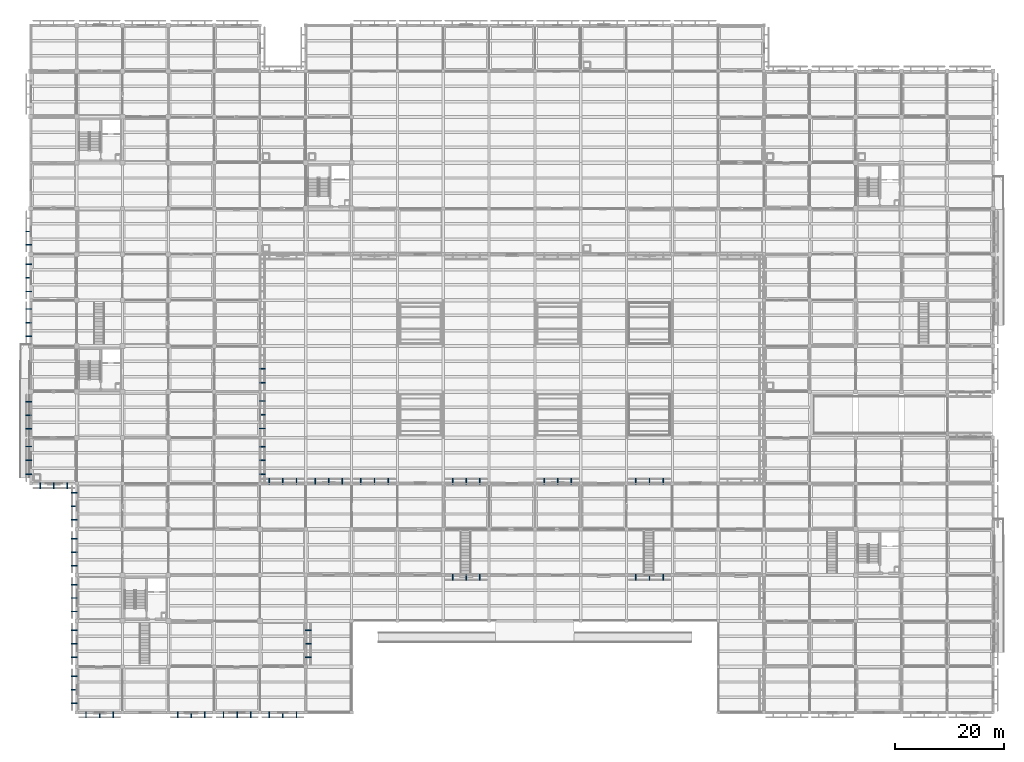
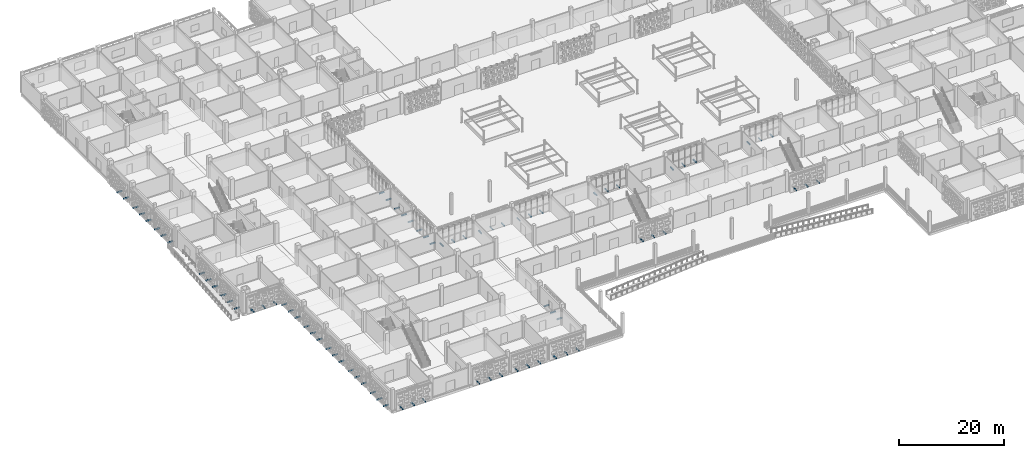
# One storey, part 77 of 129: 79 discrete accessories.
"""IFC4 building model written with IfcOpenShell, lengths in metres."""

from ifc_helpers import new_model, si_unit, direction, frame, origin, origin_2d, place, context, subcontext, project, spatial, rectangle, extrude, material, type_object, element, save


model = new_model("IFC4")

# Units and contexts
model_context = context("Model", 3, precision=1e-05, world=origin(), true_north=direction((0.0, 1.0)))
body_context = subcontext(model_context, "Body", "Model", "MODEL_VIEW")
ifc_project = project(units=[si_unit("LENGTHUNIT", "METRE"), si_unit("AREAUNIT", "SQUARE_METRE"), si_unit("VOLUMEUNIT", "CUBIC_METRE"), si_unit("PLANEANGLEUNIT", "RADIAN"), si_unit("MASSUNIT", "GRAM", prefix="KILO")], contexts=[model_context])

# Site, building, storey
site_placement = place(None, origin())
site = spatial("IfcSite", under=ifc_project, at=site_placement, CompositionType="ELEMENT")
building_placement = place(site_placement, origin())
building = spatial("IfcBuilding", under=site, at=building_placement, Name="Varnapada Polytechnic", CompositionType="ELEMENT")
storey_placement = place(building_placement, origin())
storey = spatial("IfcBuildingStorey", under=building, at=storey_placement, Name="L00", CompositionType="ELEMENT", Elevation=0.0)

# Discrete accessories
ifc_material = material(Name="Steel S355", Category="steel")
discrete_accessory_type = type_object("IfcDiscreteAccessoryType", Name="Screen Outrigger Bracket BRK-01", PredefinedType="BRACKET", material=ifc_material)
for number, where, z_axis, x_axis, name in (
    (1, (6.696044921875, 41.574951171875, -0.0498046875), (0.0, 0.0, 1.0), (-1.0, 0.0, 0.0), "L00 terracotta screen outrigger bracket 1.1"),
    (2, (4.199951171875, 41.574951171875, -0.0498046875), (0.0, 0.0, 1.0), (-1.0, 0.0, 0.0), "L00 terracotta screen outrigger bracket 1.2"),
    (3, (1.7041015625, 41.574951171875, -0.0498046875), (0.0, 0.0, 1.0), (-1.0, 0.0, 0.0), "L00 terracotta screen outrigger bracket 1.3"),
    (4, (-0.425048828125, 43.721923828125, -0.0498046875), (0.0, 0.0, 1.0), (0.0, 1.0, 0.0), "L00 terracotta screen outrigger bracket 2.1"),
    (5, (-0.425048828125, 46.25, -0.0498046875), (0.0, 0.0, 1.0), (0.0, 1.0, 0.0), "L00 terracotta screen outrigger bracket 2.2"),
    (6, (-0.425048828125, 48.778076171875, -0.0498046875), (0.0, 0.0, 1.0), (0.0, 1.0, 0.0), "L00 terracotta screen outrigger bracket 2.3"),
    (7, (-0.425048828125, 52.00390625, -0.0498046875), (0.0, 0.0, 1.0), (0.0, 1.0, 0.0), "L00 terracotta screen outrigger bracket 3.1"),
    (8, (-0.425048828125, 54.5, -0.0498046875), (0.0, 0.0, 1.0), (0.0, 1.0, 0.0), "L00 terracotta screen outrigger bracket 3.2"),
    (9, (-0.425048828125, 56.99609375, -0.0498046875), (0.0, 0.0, 1.0), (0.0, 1.0, 0.0), "L00 terracotta screen outrigger bracket 3.3"),
    (10, (-0.425048828125, 69.00390625, -0.0498046875), (0.0, 0.0, 1.0), (0.0, 1.0, 0.0), "L00 terracotta screen outrigger bracket 5.1"),
    (11, (-0.425048828125, 71.5, -0.0498046875), (0.0, 0.0, 1.0), (0.0, 1.0, 0.0), "L00 terracotta screen outrigger bracket 5.2"),
    (12, (-0.425048828125, 73.99609375, -0.0498046875), (0.0, 0.0, 1.0), (0.0, 1.0, 0.0), "L00 terracotta screen outrigger bracket 5.3"),
    (13, (-0.425048828125, 77.2041015625, -0.0498046875), (0.0, 0.0, 1.0), (0.0, 1.0, 0.0), "L00 terracotta screen outrigger bracket 6.1"),
    (14, (-0.425048828125, 79.699951171875, -0.0498046875), (0.0, 0.0, 1.0), (0.0, 1.0, 0.0), "L00 terracotta screen outrigger bracket 6.2"),
    (15, (-0.425048828125, 82.196044921875, -0.0498046875), (0.0, 0.0, 1.0), (0.0, 1.0, 0.0), "L00 terracotta screen outrigger bracket 6.3"),
    (16, (-0.425048828125, 85.76806640625, -0.0498046875), (0.0, 0.0, 1.0), (0.0, 1.0, 0.0), "L00 terracotta screen outrigger bracket 7.1"),
    (17, (-0.425048828125, 88.199951171875, -0.0498046875), (0.0, 0.0, 1.0), (0.0, 1.0, 0.0), "L00 terracotta screen outrigger bracket 7.2"),
    (18, (15.095947265625, -0.425048828125, -0.0498046875), (0.0, 0.0, 1.0), (-1.0, 0.0, 0.0), "L00 terracotta screen outrigger bracket 13.1"),
    (19, (12.60009765625, -0.425048828125, -0.0498046875), (0.0, 0.0, 1.0), (-1.0, 0.0, 0.0), "L00 terracotta screen outrigger bracket 13.2"),
    (20, (10.10400390625, -0.425048828125, -0.0498046875), (0.0, 0.0, 1.0), (-1.0, 0.0, 0.0), "L00 terracotta screen outrigger bracket 13.3"),
    (21, (7.97509765625, 1.695068359375, -0.0498046875), (0.0, 0.0, 1.0), (0.0, 1.0, 0.0), "L00 terracotta screen outrigger bracket 14.1"),
    (22, (7.97509765625, 4.175048828125, -0.0498046875), (0.0, 0.0, 1.0), (0.0, 1.0, 0.0), "L00 terracotta screen outrigger bracket 14.2"),
    (23, (7.97509765625, 6.655029296875, -0.0498046875), (0.0, 0.0, 1.0), (0.0, 1.0, 0.0), "L00 terracotta screen outrigger bracket 14.3"),
    (24, (7.97509765625, 10.135986328125, -0.0498046875), (0.0, 0.0, 1.0), (0.0, 1.0, 0.0), "L00 terracotta screen outrigger bracket 15.1"),
    (25, (7.97509765625, 12.60009765625, -0.0498046875), (0.0, 0.0, 1.0), (0.0, 1.0, 0.0), "L00 terracotta screen outrigger bracket 15.2"),
    (26, (7.97509765625, 15.06396484375, -0.0498046875), (0.0, 0.0, 1.0), (0.0, 1.0, 0.0), "L00 terracotta screen outrigger bracket 15.3"),
    (27, (7.97509765625, 18.535888671875, -0.0498046875), (0.0, 0.0, 1.0), (0.0, 1.0, 0.0), "L00 terracotta screen outrigger bracket 16.1"),
    (28, (7.97509765625, 21.0, -0.0498046875), (0.0, 0.0, 1.0), (0.0, 1.0, 0.0), "L00 terracotta screen outrigger bracket 16.2"),
    (29, (7.97509765625, 23.464111328125, -0.0498046875), (0.0, 0.0, 1.0), (0.0, 1.0, 0.0), "L00 terracotta screen outrigger bracket 16.3"),
    (30, (7.97509765625, 26.93603515625, -0.0498046875), (0.0, 0.0, 1.0), (0.0, 1.0, 0.0), "L00 terracotta screen outrigger bracket 17.1"),
    (31, (7.97509765625, 29.39990234375, -0.0498046875), (0.0, 0.0, 1.0), (0.0, 1.0, 0.0), "L00 terracotta screen outrigger bracket 17.2"),
    (32, (7.97509765625, 31.864013671875, -0.0498046875), (0.0, 0.0, 1.0), (0.0, 1.0, 0.0), "L00 terracotta screen outrigger bracket 17.3"),
    (33, (7.97509765625, 35.344970703125, -0.0498046875), (0.0, 0.0, 1.0), (0.0, 1.0, 0.0), "L00 terracotta screen outrigger bracket 18.1"),
    (34, (7.97509765625, 37.824951171875, -0.0498046875), (0.0, 0.0, 1.0), (0.0, 1.0, 0.0), "L00 terracotta screen outrigger bracket 18.2"),
    (35, (7.97509765625, 40.304931640625, -0.0498046875), (0.0, 0.0, 1.0), (0.0, 1.0, 0.0), "L00 terracotta screen outrigger bracket 18.3"),
    (36, (31.89599609375, -0.425048828125, -0.0498046875), (0.0, 0.0, 1.0), (-1.0, 0.0, 0.0), "L00 terracotta screen outrigger bracket 22.1"),
    (37, (29.39990234375, -0.425048828125, -0.0498046875), (0.0, 0.0, 1.0), (-1.0, 0.0, 0.0), "L00 terracotta screen outrigger bracket 22.2"),
    (38, (26.904052734375, -0.425048828125, -0.0498046875), (0.0, 0.0, 1.0), (-1.0, 0.0, 0.0), "L00 terracotta screen outrigger bracket 22.3"),
    (39, (40.2958984375, -0.425048828125, -0.0498046875), (0.0, 0.0, 1.0), (-1.0, 0.0, 0.0), "L00 terracotta screen outrigger bracket 24.1"),
    (40, (37.800048828125, -0.425048828125, -0.0498046875), (0.0, 0.0, 1.0), (-1.0, 0.0, 0.0), "L00 terracotta screen outrigger bracket 24.2"),
    (41, (35.303955078125, -0.425048828125, -0.0498046875), (0.0, 0.0, 1.0), (-1.0, 0.0, 0.0), "L00 terracotta screen outrigger bracket 24.3"),
    (42, (42.425048828125, 48.737060546875, -0.0498046875), (0.0, 0.0, 1.0), (0.0, -1.0, 0.0), "L00 terracotta screen outrigger bracket 25.1"),
    (43, (42.425048828125, 46.22509765625, -0.0498046875), (0.0, 0.0, 1.0), (0.0, -1.0, 0.0), "L00 terracotta screen outrigger bracket 25.2"),
    (44, (42.425048828125, 43.712890625, -0.0498046875), (0.0, 0.0, 1.0), (0.0, -1.0, 0.0), "L00 terracotta screen outrigger bracket 25.3"),
    (45, (42.425048828125, 57.1279296875, -0.0498046875), (0.0, 0.0, 1.0), (0.0, -1.0, 0.0), "L00 terracotta screen outrigger bracket 26.1"),
    (46, (42.425048828125, 54.60009765625, -0.0498046875), (0.0, 0.0, 1.0), (0.0, -1.0, 0.0), "L00 terracotta screen outrigger bracket 26.2"),
    (47, (42.425048828125, 52.072021484375, -0.0498046875), (0.0, 0.0, 1.0), (0.0, -1.0, 0.0), "L00 terracotta screen outrigger bracket 26.3"),
    (48, (42.425048828125, 63.0, -0.0498046875), (0.0, 0.0, 1.0), (0.0, -1.0, 0.0), "L00 terracotta screen outrigger bracket 27.2"),
    (49, (42.425048828125, 60.471923828125, -0.0498046875), (0.0, 0.0, 1.0), (0.0, -1.0, 0.0), "L00 terracotta screen outrigger bracket 27.3"),
    (50, (48.696044921875, -0.425048828125, -0.0498046875), (0.0, 0.0, 1.0), (-1.0, 0.0, 0.0), "L00 terracotta screen outrigger bracket 32.1"),
    (51, (46.199951171875, -0.425048828125, -0.0498046875), (0.0, 0.0, 1.0), (-1.0, 0.0, 0.0), "L00 terracotta screen outrigger bracket 32.2"),
    (52, (43.7041015625, -0.425048828125, -0.0498046875), (0.0, 0.0, 1.0), (-1.0, 0.0, 0.0), "L00 terracotta screen outrigger bracket 32.3"),
    (53, (50.824951171875, 15.06396484375, -0.0498046875), (0.0, 0.0, 1.0), (0.0, -1.0, 0.0), "L00 terracotta screen outrigger bracket 34.1"),
    (54, (50.824951171875, 12.60009765625, -0.0498046875), (0.0, 0.0, 1.0), (0.0, -1.0, 0.0), "L00 terracotta screen outrigger bracket 34.2"),
    (55, (50.824951171875, 10.135986328125, -0.0498046875), (0.0, 0.0, 1.0), (0.0, -1.0, 0.0), "L00 terracotta screen outrigger bracket 34.3"),
    (56, (43.7041015625, 42.425048828125, -0.0498046875), (0.0, 0.0, 1.0), (1.0, 0.0, 0.0), "L00 terracotta screen outrigger bracket 36.1"),
    (57, (46.199951171875, 42.425048828125, -0.0498046875), (0.0, 0.0, 1.0), (1.0, 0.0, 0.0), "L00 terracotta screen outrigger bracket 36.2"),
    (58, (48.696044921875, 42.425048828125, -0.0498046875), (0.0, 0.0, 1.0), (1.0, 0.0, 0.0), "L00 terracotta screen outrigger bracket 36.3"),
    (59, (52.10400390625, 42.425048828125, -0.0498046875), (0.0, 0.0, 1.0), (1.0, 0.0, 0.0), "L00 terracotta screen outrigger bracket 40.1"),
    (60, (54.60009765625, 42.425048828125, -0.0498046875), (0.0, 0.0, 1.0), (1.0, 0.0, 0.0), "L00 terracotta screen outrigger bracket 40.2"),
    (61, (57.095947265625, 42.425048828125, -0.0498046875), (0.0, 0.0, 1.0), (1.0, 0.0, 0.0), "L00 terracotta screen outrigger bracket 40.3"),
    (62, (60.50390625, 42.425048828125, -0.0498046875), (0.0, 0.0, 1.0), (1.0, 0.0, 0.0), "L00 terracotta screen outrigger bracket 45.1"),
    (63, (63.0, 42.425048828125, -0.0498046875), (0.0, 0.0, 1.0), (1.0, 0.0, 0.0), "L00 terracotta screen outrigger bracket 45.2"),
    (64, (65.49609375, 42.425048828125, -0.0498046875), (0.0, 0.0, 1.0), (1.0, 0.0, 0.0), "L00 terracotta screen outrigger bracket 45.3"),
    (65, (82.2958984375, 24.77490234375, -0.0498046875), (0.0, 0.0, 1.0), (-1.0, 0.0, 0.0), "L00 terracotta screen outrigger bracket 52.1"),
    (66, (79.800048828125, 24.77490234375, -0.0498046875), (0.0, 0.0, 1.0), (-1.0, 0.0, 0.0), "L00 terracotta screen outrigger bracket 52.2"),
    (67, (77.303955078125, 24.77490234375, -0.0498046875), (0.0, 0.0, 1.0), (-1.0, 0.0, 0.0), "L00 terracotta screen outrigger bracket 52.3"),
    (68, (77.303955078125, 42.425048828125, -0.0498046875), (0.0, 0.0, 1.0), (1.0, 0.0, 0.0), "L00 terracotta screen outrigger bracket 53.1"),
    (69, (79.800048828125, 42.425048828125, -0.0498046875), (0.0, 0.0, 1.0), (1.0, 0.0, 0.0), "L00 terracotta screen outrigger bracket 53.2"),
    (70, (82.2958984375, 42.425048828125, -0.0498046875), (0.0, 0.0, 1.0), (1.0, 0.0, 0.0), "L00 terracotta screen outrigger bracket 53.3"),
    (71, (94.10400390625, 42.425048828125, -0.0498046875), (0.0, 0.0, 1.0), (1.0, 0.0, 0.0), "L00 terracotta screen outrigger bracket 61.1"),
    (72, (96.60009765625, 42.425048828125, -0.0498046875), (0.0, 0.0, 1.0), (1.0, 0.0, 0.0), "L00 terracotta screen outrigger bracket 61.2"),
    (73, (99.095947265625, 42.425048828125, -0.0498046875), (0.0, 0.0, 1.0), (1.0, 0.0, 0.0), "L00 terracotta screen outrigger bracket 61.3"),
    (74, (115.89599609375, 24.77490234375, -0.0498046875), (0.0, 0.0, 1.0), (-1.0, 0.0, 0.0), "L00 terracotta screen outrigger bracket 68.1"),
    (75, (113.39990234375, 24.77490234375, -0.0498046875), (0.0, 0.0, 1.0), (-1.0, 0.0, 0.0), "L00 terracotta screen outrigger bracket 68.2"),
    (76, (110.904052734375, 24.77490234375, -0.0498046875), (0.0, 0.0, 1.0), (-1.0, 0.0, 0.0), "L00 terracotta screen outrigger bracket 68.3"),
    (77, (110.904052734375, 42.425048828125, -0.0498046875), (0.0, 0.0, 1.0), (1.0, 0.0, 0.0), "L00 terracotta screen outrigger bracket 69.1"),
    (78, (113.39990234375, 42.425048828125, -0.0498046875), (0.0, 0.0, 1.0), (1.0, 0.0, 0.0), "L00 terracotta screen outrigger bracket 69.2"),
    (79, (115.89599609375, 42.425048828125, -0.0498046875), (0.0, 0.0, 1.0), (1.0, 0.0, 0.0), "L00 terracotta screen outrigger bracket 69.3"),
):
    element("IfcDiscreteAccessory", number, at=place(storey_placement, frame(where, z_axis=z_axis, x_axis=x_axis)), inside=storey, type_object=discrete_accessory_type, Name=name, PredefinedType="BRACKET", context=body_context, shape_type="SweptSolid", body=[
        extrude(rectangle(XDim=0.159912109375, YDim=1.090087890625, at=origin_2d()), origin(), (0.0, 0.0, 1.0), 0.219970703125),
    ])

save(model, "model.ifc")
